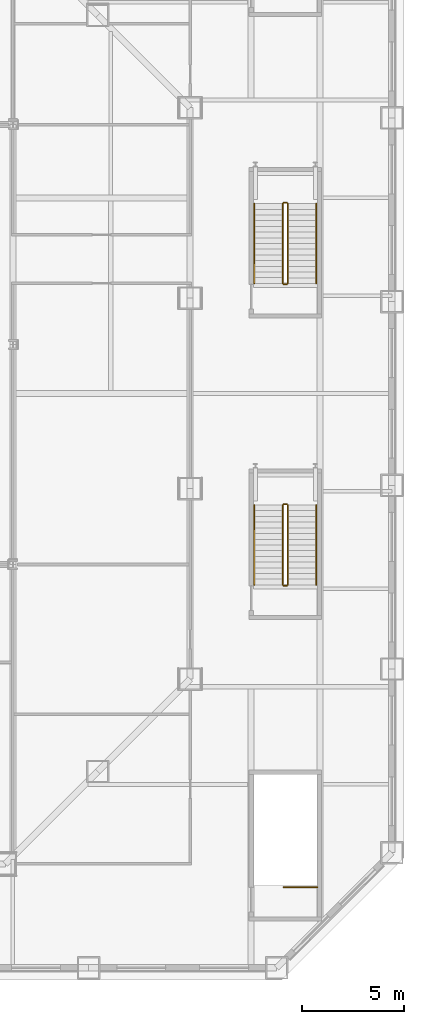
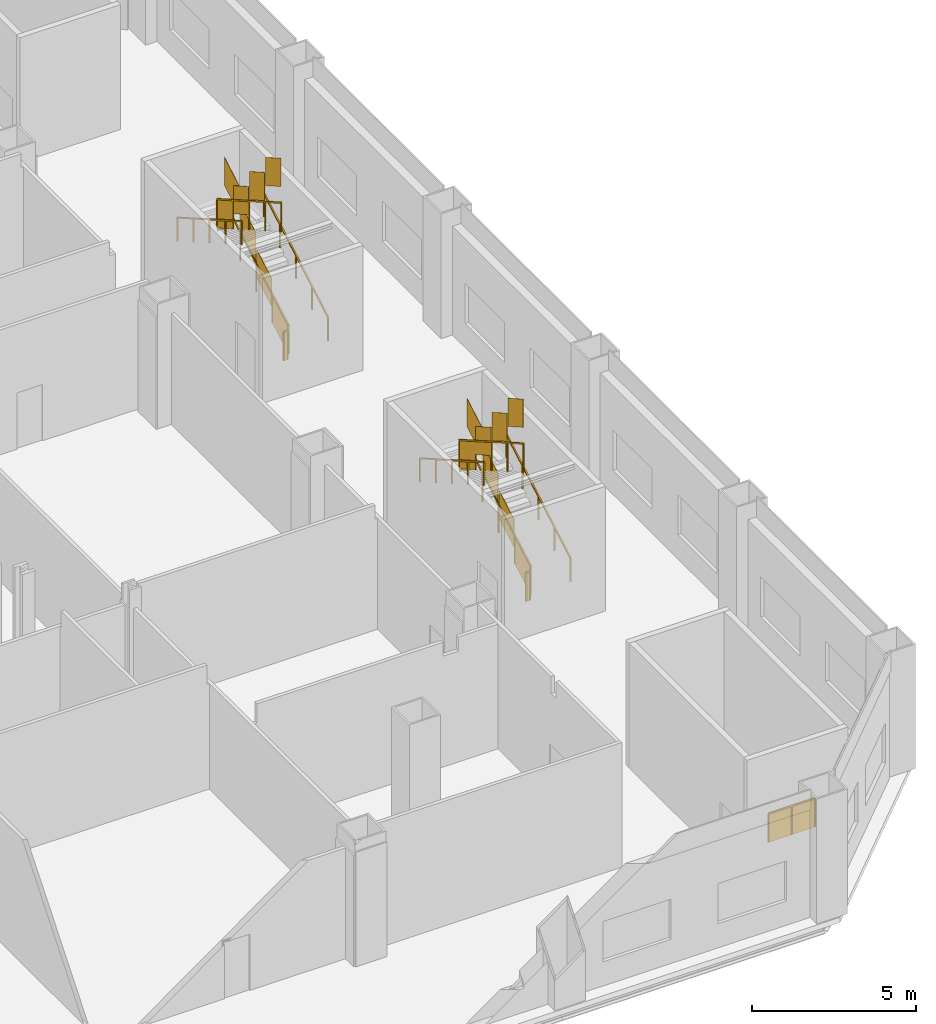
# One storey, part 21 of 22: 13 railings.
"""IFC4 building model written with IfcOpenShell, lengths in metres."""

import ifcopenshell
import ifcopenshell.guid

model = None  # the IFC model being written
_history = None  # IfcOwnerHistory: only IFC2X3 demands one
_inside = {}  # id of a spatial element -> (the spatial element, [elements in it])
_under = {}  # id of a project, library or spatial element -> (it, [spatial elements below it])
_declared = {}  # id of a project -> (the project, [libraries it declares])
_typed = {}  # id of a type object -> (the type object, [elements of that type])
_made_of = {}  # id of a material, layer set ... -> (it, [elements and type objects made of it])


def new_model(schema):
    """Start an empty IFC model of exactly this schema.

    Asked for "IFC4X3", IfcOpenShell would pick the latest addendum, in which some entities
    have other attributes; the version numbers below select the first issue.
    IFC2X3 requires an IfcOwnerHistory on every rooted entity: one is made here for all.
    """
    global model, _history
    if schema == "IFC4X3":
        model = ifcopenshell.file(schema_version=(4, 3, 0, 0))
    else:
        model = ifcopenshell.file(schema=schema)
    _inside.clear()
    _under.clear()
    _declared.clear()
    _typed.clear()
    _made_of.clear()
    _history = None
    if model.schema == "IFC2X3":
        org = make("IfcOrganization", Name="unknown")
        user = make(
            "IfcPersonAndOrganization",
            ThePerson=make("IfcPerson", FamilyName="unknown"),
            TheOrganization=org,
        )
        app = make(
            "IfcApplication",
            ApplicationDeveloper=org,
            Version="unknown",
            ApplicationFullName="unknown",
            ApplicationIdentifier="unknown",
        )
        _history = make(
            "IfcOwnerHistory",
            OwningUser=user,
            OwningApplication=app,
            ChangeAction="ADDED",
            CreationDate=0,
        )
    return model


def make(cls, **values):
    """One entity of the class cls with the attributes given. An attribute that is None is left unset."""
    return model.create_entity(
        cls, **{name: value for name, value in values.items() if value is not None}
    )


def rooted(cls, **values):
    """An entity with a GlobalId (a new one), such as an element, a storey or a relation."""
    return make(cls, GlobalId=ifcopenshell.guid.new(), OwnerHistory=_history, **values)


def si_unit(unit_type, name, prefix=None):
    """IfcSIUnit, for example si_unit("LENGTHUNIT", "METRE", prefix="MILLI")."""
    return make("IfcSIUnit", UnitType=unit_type, Prefix=prefix, Name=name)


def assignment(units):
    """IfcUnitAssignment: the units of a project."""
    return None if units is None else make("IfcUnitAssignment", Units=units)


def point(xyz):
    """IfcCartesianPoint."""
    return None if xyz is None else make("IfcCartesianPoint", Coordinates=xyz)


def direction(xyz):
    """IfcDirection."""
    return None if xyz is None else make("IfcDirection", DirectionRatios=xyz)


def frame(location, z_axis=None, x_axis=None):
    """IfcAxis2Placement3D, a coordinate frame: its origin and axes. An axis left out is left unset."""
    return make(
        "IfcAxis2Placement3D",
        Location=point(location),
        Axis=direction(z_axis),
        RefDirection=direction(x_axis),
    )


def frame_2d(location, x_axis=None):
    """IfcAxis2Placement2D, a coordinate frame in the plane: its origin and x axis."""
    return make(
        "IfcAxis2Placement2D", Location=point(location), RefDirection=direction(x_axis)
    )


def origin():
    """The frame at (0, 0, 0) with its axes left unset."""
    return frame((0.0, 0.0, 0.0))


def origin_2d():
    """The frame at (0, 0) in the plane with its x axis left unset."""
    return frame_2d((0.0, 0.0))


def place(relative_to, where):
    """IfcLocalPlacement: puts the frame where relative to a parent placement (None: the world)."""
    return make(
        "IfcLocalPlacement", PlacementRelTo=relative_to, RelativePlacement=where
    )


def context(
    kind, dimensions, precision=None, world=None, true_north=None, identifier=None
):
    """IfcGeometricRepresentationContext, for example the 3D "Model" context."""
    return make(
        "IfcGeometricRepresentationContext",
        ContextIdentifier=identifier,
        ContextType=kind,
        CoordinateSpaceDimension=dimensions,
        Precision=precision,
        WorldCoordinateSystem=world,
        TrueNorth=true_north,
    )


def subcontext(parent, identifier, kind, view, scale=None):
    """IfcGeometricRepresentationSubContext, for example "Body" below "Model"."""
    return make(
        "IfcGeometricRepresentationSubContext",
        ContextIdentifier=identifier,
        ContextType=kind,
        ParentContext=parent,
        TargetScale=scale,
        TargetView=view,
    )


def project(units=None, contexts=None):
    """IfcProject with its units and contexts."""
    return rooted(
        "IfcProject",
        Name="project",
        RepresentationContexts=contexts,
        UnitsInContext=assignment(units),
    )


def spatial(cls, under=None, at=None, **own):
    """A site, building, storey or space (cls), placed at a placement, below another one or the project."""
    s = rooted(cls, ObjectPlacement=at, **own)
    if under is not None:
        _under.setdefault(under.id(), (under, []))[1].append(s)
    return s


def polyline(points):
    """IfcPolyline through the points."""
    return make("IfcPolyline", Points=[point(p) for p in points])


def profile(cls, at=None, kind="AREA", **sizes):
    """A parametric profile (cls). Its sizes go by their IFC names, for example OverallWidth=200.0."""
    return make(cls, ProfileType=kind, Position=at, **sizes)


def rectangle(**sizes):
    """IfcRectangleProfileDef."""
    return profile("IfcRectangleProfileDef", **sizes)


def outline(outer, holes=None, kind="AREA"):
    """IfcArbitraryClosedProfileDef: a profile drawn as a closed curve; with holes, ...WithVoids."""
    if holes is None:
        return make("IfcArbitraryClosedProfileDef", ProfileType=kind, OuterCurve=outer)
    return make(
        "IfcArbitraryProfileDefWithVoids",
        ProfileType=kind,
        OuterCurve=outer,
        InnerCurves=holes,
    )


def extrude(swept, where, along, depth):
    """IfcExtrudedAreaSolid: the profile swept, set in the frame where, extruded along a direction by depth."""
    return make(
        "IfcExtrudedAreaSolid",
        SweptArea=swept,
        Position=where,
        ExtrudedDirection=direction(along),
        Depth=depth,
    )


def shape(context_of_items, identifier, shape_type, items):
    """IfcShapeRepresentation: the items that make up one representation, for example the "Body"."""
    return make(
        "IfcShapeRepresentation",
        ContextOfItems=context_of_items,
        RepresentationIdentifier=identifier,
        RepresentationType=shape_type,
        Items=items,
    )


def material(Name=None, Category=None):
    """IfcMaterial."""
    return make("IfcMaterial", Name=Name, Category=Category)


def made_of(thing, what):
    """Note that an element or type object is made of a material, layer set ...; save() writes the relation."""
    if what is not None:
        _made_of.setdefault(what.id(), (what, []))[1].append(thing)
    return thing


def type_object(cls, material=None, **own):
    """A type object (cls), such as IfcWallType, which elements share."""
    return made_of(rooted(cls, **own), material)


def element(
    cls,
    number,
    at=None,
    inside=None,
    cuts=None,
    type_object=None,
    material=None,
    context=None,
    identifier="Body",
    shape_type=None,
    held_by="IfcProductDefinitionShape",
    body=None,
    shapes=None,
    **own,
):
    """One element of the class cls, such as IfcWall. Its Tag is "e" and its number.

    at: its placement. inside: the storey or other place that contains it. cuts: it is an
    opening in that element (IfcRelVoidsElement). A single representation is given by context,
    identifier, shape_type and body (its items); several are given by shapes. held_by: the class
    of the entity that holds the representations. save() writes the other relations.
    """
    e = rooted(cls, Tag="e%d" % number, ObjectPlacement=at, **own)
    if body is not None:
        shapes = [shape(context, identifier, shape_type, body)]
    if shapes is not None:
        e.Representation = make(held_by, Representations=shapes)
    if inside is not None:
        _inside.setdefault(inside.id(), (inside, []))[1].append(e)
    if cuts is not None:
        rooted(
            "IfcRelVoidsElement", RelatingBuildingElement=cuts, RelatedOpeningElement=e
        )
    if type_object is not None:
        _typed.setdefault(type_object.id(), (type_object, []))[1].append(e)
    return made_of(e, material)


def aggregate(whole, parts):
    """IfcRelAggregates: a whole, such as a stair, and the parts it consists of."""
    return rooted("IfcRelAggregates", RelatingObject=whole, RelatedObjects=parts)


def save(model, path):
    """Write the relations noted so far, then the file.

    IfcRelAggregates (storeys below a building ...), IfcRelContainedInSpatialStructure (elements
    in a storey), IfcRelDefinesByType, IfcRelAssociatesMaterial and IfcRelDeclares: one each for
    every whole, place, type object, material and project.
    """
    for whole, parts in _under.values():
        aggregate(whole, parts)
    for where, things in _inside.values():
        rooted(
            "IfcRelContainedInSpatialStructure",
            RelatedElements=things,
            RelatingStructure=where,
        )
    for kind, things in _typed.values():
        rooted("IfcRelDefinesByType", RelatedObjects=things, RelatingType=kind)
    for what, things in _made_of.values():
        rooted("IfcRelAssociatesMaterial", RelatedObjects=things, RelatingMaterial=what)
    for by, libraries in _declared.values():
        rooted("IfcRelDeclares", RelatingContext=by, RelatedDefinitions=libraries)
    model.write(path)


model = new_model("IFC4")

# Units and contexts
model_context = context("Model", 3, precision=1e-05, world=origin(), true_north=direction((0.0, 1.0)))
body_context = subcontext(model_context, "Body", "Model", "MODEL_VIEW")
ifc_project = project(units=[si_unit("LENGTHUNIT", "METRE"), si_unit("AREAUNIT", "SQUARE_METRE"), si_unit("VOLUMEUNIT", "CUBIC_METRE"), si_unit("PLANEANGLEUNIT", "RADIAN"), si_unit("MASSUNIT", "GRAM", prefix="KILO")], contexts=[model_context])

# Site, building, storey
site_placement = place(None, origin())
site = spatial("IfcSite", under=ifc_project, at=site_placement, CompositionType="ELEMENT")
building_placement = place(site_placement, origin())
building = spatial("IfcBuilding", under=site, at=building_placement, Name="Cairn Pilgrim Tower", CompositionType="ELEMENT")
storey_placement = place(building_placement, frame((0.0, 0.0, 35.39990234375)))
storey = spatial("IfcBuildingStorey", under=building, at=storey_placement, Name="L06", CompositionType="ELEMENT", Elevation=35.39990234375)

# Railings
ifc_material = material(Name="Painted steel", Category="steel")
railing_type_1 = type_object("IfcRailingType", Name="PODIUM STAIR GUARD 1100", PredefinedType="GUARDRAIL", material=ifc_material)
railing_1_placement = place(storey_placement, frame((34.14990234375, -24.25, 0.0)))
element("IfcRailing", 1, at=railing_1_placement, inside=storey, type_object=railing_type_1, Name="L06 ST-ES1 top well guard 1", PredefinedType="GUARDRAIL", context=body_context, shape_type="SweptSolid", body=[
    extrude(rectangle(XDim=0.048095703125, YDim=0.048095703125, at=origin_2d()), frame((0.0, 0.0, 1.076171875), z_axis=(-1.0, 0.0, 0.0), x_axis=(0.0, -1.0, 0.0)), (0.0, 0.0, 1.0), 1.64990234375),
    extrude(rectangle(XDim=0.0419921875, YDim=0.0419921875, at=origin_2d()), origin(), (0.0, 0.0, 1.0), 1.052001953125),
    extrude(rectangle(XDim=0.0419921875, YDim=0.0419921875, at=origin_2d()), frame((-0.824951171875, 0.0, 0.0)), (0.0, 0.0, 1.0), 1.052001953125),
    extrude(rectangle(XDim=0.0419921875, YDim=0.0419921875, at=origin_2d()), frame((-1.64990234375, 0.0, 0.0)), (0.0, 0.0, 1.0), 1.052001953125),
    extrude(outline(polyline([(0.02099609375, 0.0), (0.803955078125, 0.0), (0.803955078125, 1.052001953125), (0.02099609375, 1.052001953125), (0.02099609375, 0.0)])), frame((0.0, -0.005859375, 0.0), z_axis=(0.0, 1.0, 0.0), x_axis=(-1.0, 0.0, 0.0)), (0.0, 0.0, 1.0), 0.011962890625),
    extrude(outline(polyline([(0.02099609375, 0.0), (0.803955078125, 0.0), (0.803955078125, 1.052001953125), (0.02099609375, 1.052001953125), (0.02099609375, 0.0)])), frame((-0.824951171875, -0.005859375, 0.0), z_axis=(0.0, 1.0, 0.0), x_axis=(-1.0, 0.0, 0.0)), (0.0, 0.0, 1.0), 0.011962890625),
])
railing_2_placement = place(storey_placement, frame((32.699951171875, -9.39990234375, 0.16015625)))
element("IfcRailing", 2, at=railing_2_placement, inside=storey, type_object=railing_type_1, Name="L06 ST-ES2 stair guard 1", PredefinedType="GUARDRAIL", context=body_context, shape_type="SweptSolid", body=[
    extrude(rectangle(XDim=0.048095703125, YDim=0.048095703125, at=origin_2d()), frame((0.0, 0.0, 1.076171875), z_axis=(0.0, 0.868239814368, 0.496144761885), x_axis=(-1.0, 0.0, 0.0)), (0.0, 0.0, 1.0), 4.514892578125),
    extrude(rectangle(XDim=0.0419921875, YDim=0.0419921875, at=origin_2d()), origin(), (0.0, 0.0, 1.0), 1.052001953125),
    extrude(rectangle(XDim=0.0419921875, YDim=0.0419921875, at=origin_2d()), frame((0.0, 0.97998046875, 0.56005859375)), (0.0, 0.0, 1.0), 1.052001953125),
    extrude(rectangle(XDim=0.0419921875, YDim=0.0419921875, at=origin_2d()), frame((0.0, 1.9599609375, 1.1201171875)), (0.0, 0.0, 1.0), 1.052001953125),
    extrude(rectangle(XDim=0.0419921875, YDim=0.0419921875, at=origin_2d()), frame((0.0, 2.93994140625, 1.679931640625)), (0.0, 0.0, 1.0), 1.052001953125),
    extrude(rectangle(XDim=0.0419921875, YDim=0.0419921875, at=origin_2d()), frame((0.0, 3.919921875, 2.239990234375)), (0.0, 0.0, 1.0), 1.052001953125),
    extrude(outline(polyline([(0.02099609375, 0.011962890625), (0.958984375, 0.548095703125), (0.958984375, 1.60009765625), (0.02099609375, 1.06396484375), (0.02099609375, 0.011962890625)])), frame((-0.005859375, 0.0, 0.0), z_axis=(1.0, 0.0, 0.0), x_axis=(0.0, 1.0, 0.0)), (0.0, 0.0, 1.0), 0.011962890625),
    extrude(outline(polyline([(0.02099609375, 0.572021484375), (0.958984375, 1.10791015625), (0.958984375, 2.159912109375), (0.02099609375, 1.6240234375), (0.02099609375, 0.572021484375)])), frame((-0.005859375, 0.97998046875, 0.56005859375), z_axis=(1.0, 0.0, 0.0), x_axis=(0.0, 1.0, 0.0)), (0.0, 0.0, 1.0), 0.011962890625),
    extrude(outline(polyline([(0.02099609375, 1.132080078125), (0.958984375, 1.66796875), (0.958984375, 2.719970703125), (0.02099609375, 2.18408203125), (0.02099609375, 1.132080078125)])), frame((-0.005859375, 1.9599609375, 1.1201171875), z_axis=(1.0, 0.0, 0.0), x_axis=(0.0, 1.0, 0.0)), (0.0, 0.0, 1.0), 0.011962890625),
    extrude(outline(polyline([(0.02099609375, 1.69189453125), (0.958984375, 2.22802734375), (0.958984375, 3.280029296875), (0.02099609375, 2.743896484375), (0.02099609375, 1.69189453125)])), frame((-0.005859375, 2.93994140625, 1.679931640625), z_axis=(1.0, 0.0, 0.0), x_axis=(0.0, 1.0, 0.0)), (0.0, 0.0, 1.0), 0.011962890625),
])
railing_3_placement = place(storey_placement, frame((32.64990234375, -5.429931640625, 2.400146484375)))
element("IfcRailing", 3, at=railing_3_placement, inside=storey, type_object=railing_type_1, Name="L06 ST-ES2 stair guard 2", PredefinedType="GUARDRAIL", context=body_context, shape_type="SweptSolid", body=[
    extrude(rectangle(XDim=0.048095703125, YDim=0.048095703125, at=origin_2d()), frame((0.0, 0.0, 1.076171875), z_axis=(-1.0, 0.0, 0.0), x_axis=(0.0, -1.0, 0.0)), (0.0, 0.0, 1.0), 0.14990234375),
    extrude(rectangle(XDim=0.0419921875, YDim=0.0419921875, at=origin_2d()), origin(), (0.0, 0.0, 1.0), 1.052001953125),
    extrude(rectangle(XDim=0.0419921875, YDim=0.0419921875, at=origin_2d()), frame((-0.14990234375, 0.0, 0.0)), (0.0, 0.0, 1.0), 1.052001953125),
    extrude(outline(polyline([(0.02099609375, 0.0), (0.12890625, 0.0), (0.12890625, 1.052001953125), (0.02099609375, 1.052001953125), (0.02099609375, 0.0)])), frame((0.0, -0.005859375, 0.0), z_axis=(0.0, 1.0, 0.0), x_axis=(-1.0, 0.0, 0.0)), (0.0, 0.0, 1.0), 0.011962890625),
])
railing_4_placement = place(storey_placement, frame((32.449951171875, -5.47998046875, 2.56005859375)))
element("IfcRailing", 4, at=railing_4_placement, inside=storey, type_object=railing_type_1, Name="L06 ST-ES2 stair guard 3", PredefinedType="GUARDRAIL", context=body_context, shape_type="SweptSolid", body=[
    extrude(rectangle(XDim=0.048095703125, YDim=0.048095703125, at=origin_2d()), frame((0.0, 0.0, 1.076171875), z_axis=(0.0, -0.868239814368, 0.496144761885), x_axis=(1.0, 0.0, 0.0)), (0.0, 0.0, 1.0), 4.514892578125),
    extrude(rectangle(XDim=0.0419921875, YDim=0.0419921875, at=origin_2d()), origin(), (0.0, 0.0, 1.0), 1.052001953125),
    extrude(rectangle(XDim=0.0419921875, YDim=0.0419921875, at=origin_2d()), frame((0.0, -0.97998046875, 0.56005859375)), (0.0, 0.0, 1.0), 1.052001953125),
    extrude(rectangle(XDim=0.0419921875, YDim=0.0419921875, at=origin_2d()), frame((0.0, -1.9599609375, 1.1201171875)), (0.0, 0.0, 1.0), 1.052001953125),
    extrude(rectangle(XDim=0.0419921875, YDim=0.0419921875, at=origin_2d()), frame((0.0, -2.93994140625, 1.679931640625)), (0.0, 0.0, 1.0), 1.052001953125),
    extrude(rectangle(XDim=0.0419921875, YDim=0.0419921875, at=origin_2d()), frame((0.0, -3.919921875, 2.239990234375)), (0.0, 0.0, 1.0), 1.052001953125),
    extrude(outline(polyline([(0.02099609375, 0.011962890625), (0.958984375, 0.548095703125), (0.958984375, 1.60009765625), (0.02099609375, 1.06396484375), (0.02099609375, 0.011962890625)])), frame((0.005859375, 0.0, 0.0), z_axis=(-1.0, 0.0, 0.0), x_axis=(0.0, -1.0, 0.0)), (0.0, 0.0, 1.0), 0.011962890625),
    extrude(outline(polyline([(0.02099609375, 0.572021484375), (0.958984375, 1.10791015625), (0.958984375, 2.159912109375), (0.02099609375, 1.6240234375), (0.02099609375, 0.572021484375)])), frame((0.005859375, -0.97998046875, 0.56005859375), z_axis=(-1.0, 0.0, 0.0), x_axis=(0.0, -1.0, 0.0)), (0.0, 0.0, 1.0), 0.011962890625),
    extrude(outline(polyline([(0.02099609375, 1.132080078125), (0.958984375, 1.66796875), (0.958984375, 2.719970703125), (0.02099609375, 2.18408203125), (0.02099609375, 1.132080078125)])), frame((0.005859375, -1.9599609375, 1.1201171875), z_axis=(-1.0, 0.0, 0.0), x_axis=(0.0, -1.0, 0.0)), (0.0, 0.0, 1.0), 0.011962890625),
    extrude(outline(polyline([(0.02099609375, 1.69189453125), (0.958984375, 2.22802734375), (0.958984375, 3.280029296875), (0.02099609375, 2.743896484375), (0.02099609375, 1.69189453125)])), frame((0.005859375, -2.93994140625, 1.679931640625), z_axis=(-1.0, 0.0, 0.0), x_axis=(0.0, -1.0, 0.0)), (0.0, 0.0, 1.0), 0.011962890625),
])
railing_5_placement = place(storey_placement, frame((32.64990234375, -9.449951171875, 0.0)))
element("IfcRailing", 5, at=railing_5_placement, inside=storey, type_object=railing_type_1, Name="L06 ST-ES2 stair guard 4", PredefinedType="GUARDRAIL", context=body_context, shape_type="SweptSolid", body=[
    extrude(rectangle(XDim=0.048095703125, YDim=0.048095703125, at=origin_2d()), frame((0.0, 0.0, 1.076171875), z_axis=(-1.0, 0.0, 0.0), x_axis=(0.0, -1.0, 0.0)), (0.0, 0.0, 1.0), 0.14990234375),
    extrude(rectangle(XDim=0.0419921875, YDim=0.0419921875, at=origin_2d()), origin(), (0.0, 0.0, 1.0), 1.052001953125),
    extrude(rectangle(XDim=0.0419921875, YDim=0.0419921875, at=origin_2d()), frame((-0.14990234375, 0.0, 0.0)), (0.0, 0.0, 1.0), 1.052001953125),
    extrude(outline(polyline([(0.02099609375, 0.0), (0.12890625, 0.0), (0.12890625, 1.052001953125), (0.02099609375, 1.052001953125), (0.02099609375, 0.0)])), frame((0.0, -0.005859375, 0.0), z_axis=(0.0, 1.0, 0.0), x_axis=(-1.0, 0.0, 0.0)), (0.0, 0.0, 1.0), 0.011962890625),
])
railing_6_placement = place(storey_placement, frame((32.699951171875, 5.39990234375, 0.16015625)))
element("IfcRailing", 6, at=railing_6_placement, inside=storey, type_object=railing_type_1, Name="L06 ST-ES3 stair guard 1", PredefinedType="GUARDRAIL", context=body_context, shape_type="SweptSolid", body=[
    extrude(rectangle(XDim=0.048095703125, YDim=0.048095703125, at=origin_2d()), frame((0.0, 0.0, 1.076171875), z_axis=(0.0, 0.86825312469, 0.496121468458), x_axis=(-1.0, 0.0, 0.0)), (0.0, 0.0, 1.0), 4.514892578125),
    extrude(rectangle(XDim=0.0419921875, YDim=0.0419921875, at=origin_2d()), origin(), (0.0, 0.0, 1.0), 1.052001953125),
    extrude(rectangle(XDim=0.0419921875, YDim=0.0419921875, at=origin_2d()), frame((0.0, 0.97998046875, 0.56005859375)), (0.0, 0.0, 1.0), 1.052001953125),
    extrude(rectangle(XDim=0.0419921875, YDim=0.0419921875, at=origin_2d()), frame((0.0, 1.9599609375, 1.1201171875)), (0.0, 0.0, 1.0), 1.052001953125),
    extrude(rectangle(XDim=0.0419921875, YDim=0.0419921875, at=origin_2d()), frame((0.0, 2.940185546875, 1.679931640625)), (0.0, 0.0, 1.0), 1.052001953125),
    extrude(rectangle(XDim=0.0419921875, YDim=0.0419921875, at=origin_2d()), frame((0.0, 3.920166015625, 2.239990234375)), (0.0, 0.0, 1.0), 1.052001953125),
    extrude(outline(polyline([(0.02099609375, 0.011962890625), (0.958984375, 0.548095703125), (0.958984375, 1.60009765625), (0.02099609375, 1.06396484375), (0.02099609375, 0.011962890625)])), frame((-0.005859375, 0.0, 0.0), z_axis=(1.0, 0.0, 0.0), x_axis=(0.0, 1.0, 0.0)), (0.0, 0.0, 1.0), 0.011962890625),
    extrude(outline(polyline([(0.02099609375, 0.572021484375), (0.958984375, 1.10791015625), (0.958984375, 2.159912109375), (0.02099609375, 1.6240234375), (0.02099609375, 0.572021484375)])), frame((-0.005859375, 0.97998046875, 0.56005859375), z_axis=(1.0, 0.0, 0.0), x_axis=(0.0, 1.0, 0.0)), (0.0, 0.0, 1.0), 0.011962890625),
    extrude(outline(polyline([(0.02099609375, 1.132080078125), (0.958984375, 1.66796875), (0.958984375, 2.719970703125), (0.02099609375, 2.18408203125), (0.02099609375, 1.132080078125)])), frame((-0.005859375, 1.9599609375, 1.1201171875), z_axis=(1.0, 0.0, 0.0), x_axis=(0.0, 1.0, 0.0)), (0.0, 0.0, 1.0), 0.011962890625),
    extrude(outline(polyline([(0.02099609375, 1.69189453125), (0.958984375, 2.22802734375), (0.958984375, 3.280029296875), (0.02099609375, 2.743896484375), (0.02099609375, 1.69189453125)])), frame((-0.005859375, 2.940185546875, 1.679931640625), z_axis=(1.0, 0.0, 0.0), x_axis=(0.0, 1.0, 0.0)), (0.0, 0.0, 1.0), 0.011962890625),
])
railing_7_placement = place(storey_placement, frame((32.64990234375, 9.3701171875, 2.400146484375)))
element("IfcRailing", 7, at=railing_7_placement, inside=storey, type_object=railing_type_1, Name="L06 ST-ES3 stair guard 2", PredefinedType="GUARDRAIL", context=body_context, shape_type="SweptSolid", body=[
    extrude(rectangle(XDim=0.048095703125, YDim=0.048095703125, at=origin_2d()), frame((0.0, 0.0, 1.076171875), z_axis=(-1.0, 0.0, 0.0), x_axis=(0.0, -1.0, 0.0)), (0.0, 0.0, 1.0), 0.14990234375),
    extrude(rectangle(XDim=0.0419921875, YDim=0.0419921875, at=origin_2d()), origin(), (0.0, 0.0, 1.0), 1.052001953125),
    extrude(rectangle(XDim=0.0419921875, YDim=0.0419921875, at=origin_2d()), frame((-0.14990234375, 0.0, 0.0)), (0.0, 0.0, 1.0), 1.052001953125),
    extrude(outline(polyline([(0.02099609375, 0.0), (0.12890625, 0.0), (0.12890625, 1.052001953125), (0.02099609375, 1.052001953125), (0.02099609375, 0.0)])), frame((0.0, -0.005859375, 0.0), z_axis=(0.0, 1.0, 0.0), x_axis=(-1.0, 0.0, 0.0)), (0.0, 0.0, 1.0), 0.011962890625),
])
railing_8_placement = place(storey_placement, frame((32.449951171875, 9.320068359375, 2.56005859375)))
element("IfcRailing", 8, at=railing_8_placement, inside=storey, type_object=railing_type_1, Name="L06 ST-ES3 stair guard 3", PredefinedType="GUARDRAIL", context=body_context, shape_type="SweptSolid", body=[
    extrude(rectangle(XDim=0.048095703125, YDim=0.048095703125, at=origin_2d()), frame((0.0, 0.0, 1.076171875), z_axis=(0.0, -0.86825312469, 0.496121468458), x_axis=(1.0, 0.0, 0.0)), (0.0, 0.0, 1.0), 4.514892578125),
    extrude(rectangle(XDim=0.0419921875, YDim=0.0419921875, at=origin_2d()), origin(), (0.0, 0.0, 1.0), 1.052001953125),
    extrude(rectangle(XDim=0.0419921875, YDim=0.0419921875, at=origin_2d()), frame((0.0, -0.97998046875, 0.56005859375)), (0.0, 0.0, 1.0), 1.052001953125),
    extrude(rectangle(XDim=0.0419921875, YDim=0.0419921875, at=origin_2d()), frame((0.0, -1.9599609375, 1.1201171875)), (0.0, 0.0, 1.0), 1.052001953125),
    extrude(rectangle(XDim=0.0419921875, YDim=0.0419921875, at=origin_2d()), frame((0.0, -2.940185546875, 1.679931640625)), (0.0, 0.0, 1.0), 1.052001953125),
    extrude(rectangle(XDim=0.0419921875, YDim=0.0419921875, at=origin_2d()), frame((0.0, -3.920166015625, 2.239990234375)), (0.0, 0.0, 1.0), 1.052001953125),
    extrude(outline(polyline([(0.02099609375, 0.011962890625), (0.958984375, 0.548095703125), (0.958984375, 1.60009765625), (0.02099609375, 1.06396484375), (0.02099609375, 0.011962890625)])), frame((0.005859375, 0.0, 0.0), z_axis=(-1.0, 0.0, 0.0), x_axis=(0.0, -1.0, 0.0)), (0.0, 0.0, 1.0), 0.011962890625),
    extrude(outline(polyline([(0.02099609375, 0.572021484375), (0.958984375, 1.10791015625), (0.958984375, 2.159912109375), (0.02099609375, 1.6240234375), (0.02099609375, 0.572021484375)])), frame((0.005859375, -0.97998046875, 0.56005859375), z_axis=(-1.0, 0.0, 0.0), x_axis=(0.0, -1.0, 0.0)), (0.0, 0.0, 1.0), 0.011962890625),
    extrude(outline(polyline([(0.02099609375, 1.132080078125), (0.958984375, 1.66796875), (0.958984375, 2.719970703125), (0.02099609375, 2.18408203125), (0.02099609375, 1.132080078125)])), frame((0.005859375, -1.9599609375, 1.1201171875), z_axis=(-1.0, 0.0, 0.0), x_axis=(0.0, -1.0, 0.0)), (0.0, 0.0, 1.0), 0.011962890625),
    extrude(outline(polyline([(0.02099609375, 1.69189453125), (0.958984375, 2.22802734375), (0.958984375, 3.280029296875), (0.02099609375, 2.743896484375), (0.02099609375, 1.69189453125)])), frame((0.005859375, -2.940185546875, 1.679931640625), z_axis=(-1.0, 0.0, 0.0), x_axis=(0.0, -1.0, 0.0)), (0.0, 0.0, 1.0), 0.011962890625),
])
railing_9_placement = place(storey_placement, frame((32.64990234375, 5.35009765625, 0.0)))
element("IfcRailing", 9, at=railing_9_placement, inside=storey, type_object=railing_type_1, Name="L06 ST-ES3 stair guard 4", PredefinedType="GUARDRAIL", context=body_context, shape_type="SweptSolid", body=[
    extrude(rectangle(XDim=0.048095703125, YDim=0.048095703125, at=origin_2d()), frame((0.0, 0.0, 1.076171875), z_axis=(-1.0, 0.0, 0.0), x_axis=(0.0, -1.0, 0.0)), (0.0, 0.0, 1.0), 0.14990234375),
    extrude(rectangle(XDim=0.0419921875, YDim=0.0419921875, at=origin_2d()), origin(), (0.0, 0.0, 1.0), 1.052001953125),
    extrude(rectangle(XDim=0.0419921875, YDim=0.0419921875, at=origin_2d()), frame((-0.14990234375, 0.0, 0.0)), (0.0, 0.0, 1.0), 1.052001953125),
    extrude(outline(polyline([(0.02099609375, 0.0), (0.12890625, 0.0), (0.12890625, 1.052001953125), (0.02099609375, 1.052001953125), (0.02099609375, 0.0)])), frame((0.0, -0.005859375, 0.0), z_axis=(0.0, 1.0, 0.0), x_axis=(-1.0, 0.0, 0.0)), (0.0, 0.0, 1.0), 0.011962890625),
])
railing_type_2 = type_object("IfcRailingType", Name="PODIUM STAIR HANDRAIL 900", PredefinedType="HANDRAIL", material=ifc_material)
railing_10_placement = place(storey_placement, frame((34.10009765625, -9.39990234375, 0.16015625)))
element("IfcRailing", 10, at=railing_10_placement, inside=storey, type_object=railing_type_2, Name="L06 ST-ES2 stair handrail 1", PredefinedType="HANDRAIL", context=body_context, shape_type="SweptSolid", body=[
    extrude(rectangle(XDim=0.048095703125, YDim=0.048095703125, at=origin_2d()), frame((0.0, 0.0, 0.8759765625), z_axis=(0.0, 0.868239814368, 0.496144761885), x_axis=(-1.0, 0.0, 0.0)), (0.0, 0.0, 1.0), 4.514892578125),
    extrude(rectangle(XDim=0.0419921875, YDim=0.0419921875, at=origin_2d()), origin(), (0.0, 0.0, 1.0), 0.851806640625),
    extrude(rectangle(XDim=0.0419921875, YDim=0.0419921875, at=origin_2d()), frame((0.0, 0.97998046875, 0.56005859375)), (0.0, 0.0, 1.0), 0.851806640625),
    extrude(rectangle(XDim=0.0419921875, YDim=0.0419921875, at=origin_2d()), frame((0.0, 1.9599609375, 1.1201171875)), (0.0, 0.0, 1.0), 0.851806640625),
    extrude(rectangle(XDim=0.0419921875, YDim=0.0419921875, at=origin_2d()), frame((0.0, 2.93994140625, 1.679931640625)), (0.0, 0.0, 1.0), 0.851806640625),
    extrude(rectangle(XDim=0.0419921875, YDim=0.0419921875, at=origin_2d()), frame((0.0, 3.919921875, 2.239990234375)), (0.0, 0.0, 1.0), 0.851806640625),
])
railing_11_placement = place(storey_placement, frame((31.050048828125, -5.47998046875, 2.56005859375)))
element("IfcRailing", 11, at=railing_11_placement, inside=storey, type_object=railing_type_2, Name="L06 ST-ES2 stair handrail 2", PredefinedType="HANDRAIL", context=body_context, shape_type="SweptSolid", body=[
    extrude(rectangle(XDim=0.048095703125, YDim=0.048095703125, at=origin_2d()), frame((0.0, 0.0, 0.8759765625), z_axis=(0.0, -0.868239814368, 0.496144761885), x_axis=(1.0, 0.0, 0.0)), (0.0, 0.0, 1.0), 4.514892578125),
    extrude(rectangle(XDim=0.0419921875, YDim=0.0419921875, at=origin_2d()), origin(), (0.0, 0.0, 1.0), 0.851806640625),
    extrude(rectangle(XDim=0.0419921875, YDim=0.0419921875, at=origin_2d()), frame((0.0, -0.97998046875, 0.56005859375)), (0.0, 0.0, 1.0), 0.851806640625),
    extrude(rectangle(XDim=0.0419921875, YDim=0.0419921875, at=origin_2d()), frame((0.0, -1.9599609375, 1.1201171875)), (0.0, 0.0, 1.0), 0.851806640625),
    extrude(rectangle(XDim=0.0419921875, YDim=0.0419921875, at=origin_2d()), frame((0.0, -2.93994140625, 1.679931640625)), (0.0, 0.0, 1.0), 0.851806640625),
    extrude(rectangle(XDim=0.0419921875, YDim=0.0419921875, at=origin_2d()), frame((0.0, -3.919921875, 2.239990234375)), (0.0, 0.0, 1.0), 0.851806640625),
])
railing_12_placement = place(storey_placement, frame((34.10009765625, 5.39990234375, 0.16015625)))
element("IfcRailing", 12, at=railing_12_placement, inside=storey, type_object=railing_type_2, Name="L06 ST-ES3 stair handrail 1", PredefinedType="HANDRAIL", context=body_context, shape_type="SweptSolid", body=[
    extrude(rectangle(XDim=0.048095703125, YDim=0.048095703125, at=origin_2d()), frame((0.0, 0.0, 0.8759765625), z_axis=(0.0, 0.86825312469, 0.496121468458), x_axis=(-1.0, 0.0, 0.0)), (0.0, 0.0, 1.0), 4.514892578125),
    extrude(rectangle(XDim=0.0419921875, YDim=0.0419921875, at=origin_2d()), origin(), (0.0, 0.0, 1.0), 0.851806640625),
    extrude(rectangle(XDim=0.0419921875, YDim=0.0419921875, at=origin_2d()), frame((0.0, 0.97998046875, 0.56005859375)), (0.0, 0.0, 1.0), 0.851806640625),
    extrude(rectangle(XDim=0.0419921875, YDim=0.0419921875, at=origin_2d()), frame((0.0, 1.9599609375, 1.1201171875)), (0.0, 0.0, 1.0), 0.851806640625),
    extrude(rectangle(XDim=0.0419921875, YDim=0.0419921875, at=origin_2d()), frame((0.0, 2.940185546875, 1.679931640625)), (0.0, 0.0, 1.0), 0.851806640625),
    extrude(rectangle(XDim=0.0419921875, YDim=0.0419921875, at=origin_2d()), frame((0.0, 3.920166015625, 2.239990234375)), (0.0, 0.0, 1.0), 0.851806640625),
])
railing_13_placement = place(storey_placement, frame((31.050048828125, 9.320068359375, 2.56005859375)))
element("IfcRailing", 13, at=railing_13_placement, inside=storey, type_object=railing_type_2, Name="L06 ST-ES3 stair handrail 2", PredefinedType="HANDRAIL", context=body_context, shape_type="SweptSolid", body=[
    extrude(rectangle(XDim=0.048095703125, YDim=0.048095703125, at=origin_2d()), frame((0.0, 0.0, 0.8759765625), z_axis=(0.0, -0.86825312469, 0.496121468458), x_axis=(1.0, 0.0, 0.0)), (0.0, 0.0, 1.0), 4.514892578125),
    extrude(rectangle(XDim=0.0419921875, YDim=0.0419921875, at=origin_2d()), origin(), (0.0, 0.0, 1.0), 0.851806640625),
    extrude(rectangle(XDim=0.0419921875, YDim=0.0419921875, at=origin_2d()), frame((0.0, -0.97998046875, 0.56005859375)), (0.0, 0.0, 1.0), 0.851806640625),
    extrude(rectangle(XDim=0.0419921875, YDim=0.0419921875, at=origin_2d()), frame((0.0, -1.9599609375, 1.1201171875)), (0.0, 0.0, 1.0), 0.851806640625),
    extrude(rectangle(XDim=0.0419921875, YDim=0.0419921875, at=origin_2d()), frame((0.0, -2.940185546875, 1.679931640625)), (0.0, 0.0, 1.0), 0.851806640625),
    extrude(rectangle(XDim=0.0419921875, YDim=0.0419921875, at=origin_2d()), frame((0.0, -3.920166015625, 2.239990234375)), (0.0, 0.0, 1.0), 0.851806640625),
])

save(model, "model.ifc")
